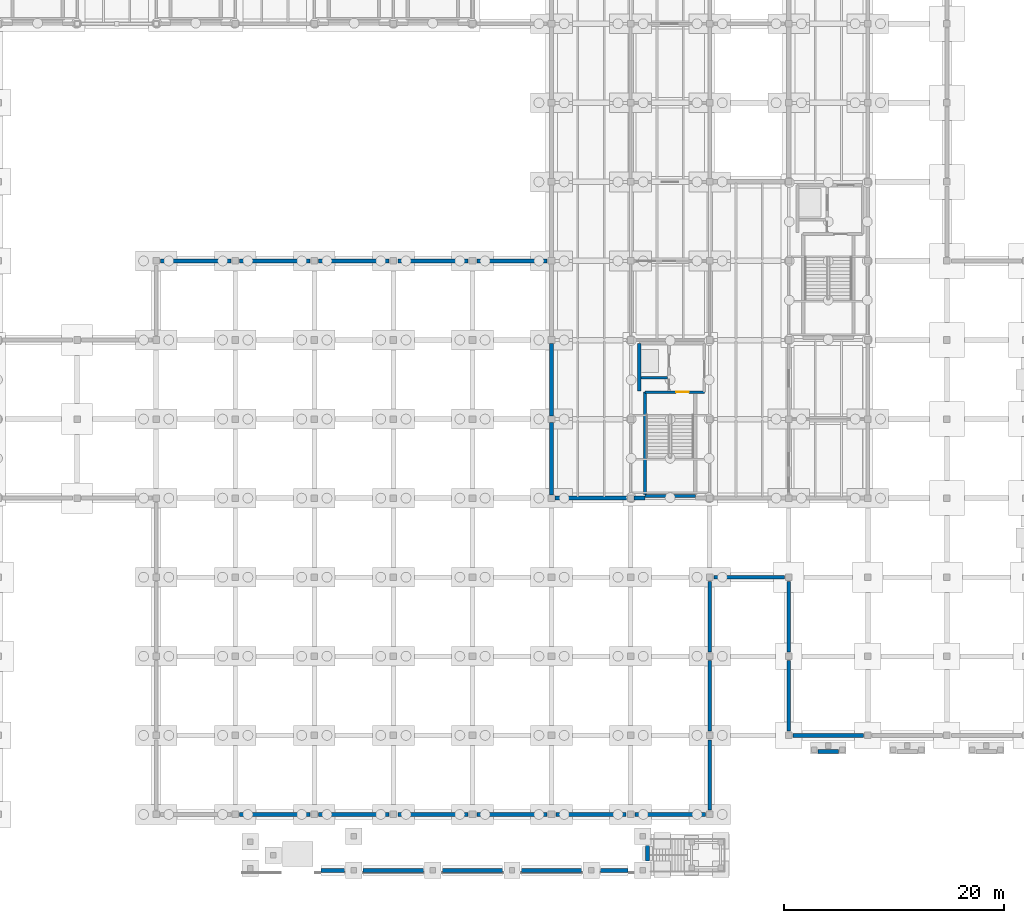
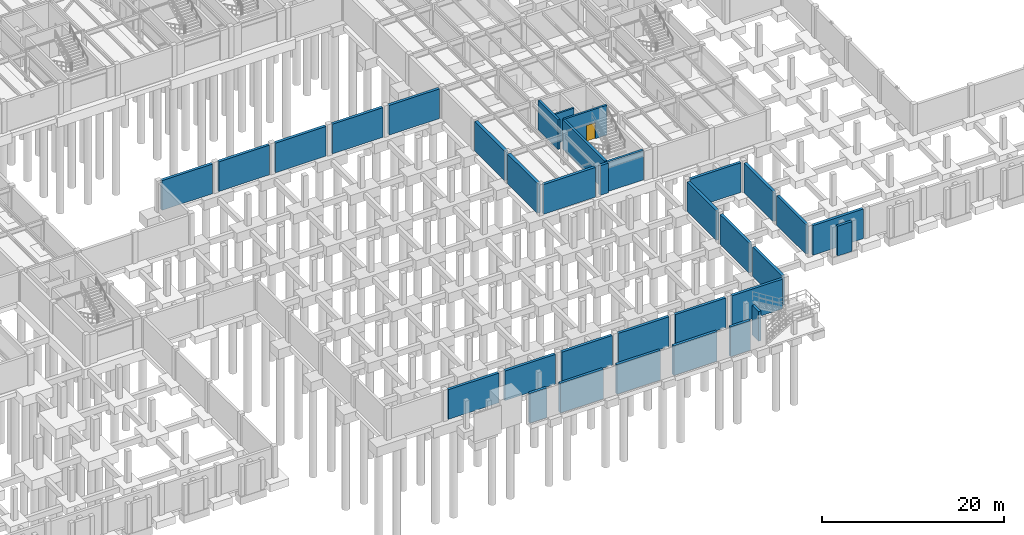
# One storey, part 32 of 46: 34 walls, 1 door, 1 opening.
"""IFC4 building model written with IfcOpenShell, lengths in metres."""

import ifcopenshell
import ifcopenshell.guid

model = None  # the IFC model being written
_history = None  # IfcOwnerHistory: only IFC2X3 demands one
_inside = {}  # id of a spatial element -> (the spatial element, [elements in it])
_under = {}  # id of a project, library or spatial element -> (it, [spatial elements below it])
_declared = {}  # id of a project -> (the project, [libraries it declares])
_typed = {}  # id of a type object -> (the type object, [elements of that type])
_made_of = {}  # id of a material, layer set ... -> (it, [elements and type objects made of it])


def new_model(schema):
    """Start an empty IFC model of exactly this schema.

    Asked for "IFC4X3", IfcOpenShell would pick the latest addendum, in which some entities
    have other attributes; the version numbers below select the first issue.
    IFC2X3 requires an IfcOwnerHistory on every rooted entity: one is made here for all.
    """
    global model, _history
    if schema == "IFC4X3":
        model = ifcopenshell.file(schema_version=(4, 3, 0, 0))
    else:
        model = ifcopenshell.file(schema=schema)
    _inside.clear()
    _under.clear()
    _declared.clear()
    _typed.clear()
    _made_of.clear()
    _history = None
    if model.schema == "IFC2X3":
        org = make("IfcOrganization", Name="unknown")
        user = make(
            "IfcPersonAndOrganization",
            ThePerson=make("IfcPerson", FamilyName="unknown"),
            TheOrganization=org,
        )
        app = make(
            "IfcApplication",
            ApplicationDeveloper=org,
            Version="unknown",
            ApplicationFullName="unknown",
            ApplicationIdentifier="unknown",
        )
        _history = make(
            "IfcOwnerHistory",
            OwningUser=user,
            OwningApplication=app,
            ChangeAction="ADDED",
            CreationDate=0,
        )
    return model


def make(cls, **values):
    """One entity of the class cls with the attributes given. An attribute that is None is left unset."""
    return model.create_entity(
        cls, **{name: value for name, value in values.items() if value is not None}
    )


def rooted(cls, **values):
    """An entity with a GlobalId (a new one), such as an element, a storey or a relation."""
    return make(cls, GlobalId=ifcopenshell.guid.new(), OwnerHistory=_history, **values)


def si_unit(unit_type, name, prefix=None):
    """IfcSIUnit, for example si_unit("LENGTHUNIT", "METRE", prefix="MILLI")."""
    return make("IfcSIUnit", UnitType=unit_type, Prefix=prefix, Name=name)


def assignment(units):
    """IfcUnitAssignment: the units of a project."""
    return None if units is None else make("IfcUnitAssignment", Units=units)


def point(xyz):
    """IfcCartesianPoint."""
    return None if xyz is None else make("IfcCartesianPoint", Coordinates=xyz)


def direction(xyz):
    """IfcDirection."""
    return None if xyz is None else make("IfcDirection", DirectionRatios=xyz)


def frame(location, z_axis=None, x_axis=None):
    """IfcAxis2Placement3D, a coordinate frame: its origin and axes. An axis left out is left unset."""
    return make(
        "IfcAxis2Placement3D",
        Location=point(location),
        Axis=direction(z_axis),
        RefDirection=direction(x_axis),
    )


def frame_2d(location, x_axis=None):
    """IfcAxis2Placement2D, a coordinate frame in the plane: its origin and x axis."""
    return make(
        "IfcAxis2Placement2D", Location=point(location), RefDirection=direction(x_axis)
    )


def origin():
    """The frame at (0, 0, 0) with its axes left unset."""
    return frame((0.0, 0.0, 0.0))


def place(relative_to, where):
    """IfcLocalPlacement: puts the frame where relative to a parent placement (None: the world)."""
    return make(
        "IfcLocalPlacement", PlacementRelTo=relative_to, RelativePlacement=where
    )


def context(
    kind, dimensions, precision=None, world=None, true_north=None, identifier=None
):
    """IfcGeometricRepresentationContext, for example the 3D "Model" context."""
    return make(
        "IfcGeometricRepresentationContext",
        ContextIdentifier=identifier,
        ContextType=kind,
        CoordinateSpaceDimension=dimensions,
        Precision=precision,
        WorldCoordinateSystem=world,
        TrueNorth=true_north,
    )


def subcontext(parent, identifier, kind, view, scale=None):
    """IfcGeometricRepresentationSubContext, for example "Body" below "Model"."""
    return make(
        "IfcGeometricRepresentationSubContext",
        ContextIdentifier=identifier,
        ContextType=kind,
        ParentContext=parent,
        TargetScale=scale,
        TargetView=view,
    )


def project(units=None, contexts=None):
    """IfcProject with its units and contexts."""
    return rooted(
        "IfcProject",
        Name="project",
        RepresentationContexts=contexts,
        UnitsInContext=assignment(units),
    )


def spatial(cls, under=None, at=None, **own):
    """A site, building, storey or space (cls), placed at a placement, below another one or the project."""
    s = rooted(cls, ObjectPlacement=at, **own)
    if under is not None:
        _under.setdefault(under.id(), (under, []))[1].append(s)
    return s


def profile(cls, at=None, kind="AREA", **sizes):
    """A parametric profile (cls). Its sizes go by their IFC names, for example OverallWidth=200.0."""
    return make(cls, ProfileType=kind, Position=at, **sizes)


def rectangle(**sizes):
    """IfcRectangleProfileDef."""
    return profile("IfcRectangleProfileDef", **sizes)


def extrude(swept, where, along, depth):
    """IfcExtrudedAreaSolid: the profile swept, set in the frame where, extruded along a direction by depth."""
    return make(
        "IfcExtrudedAreaSolid",
        SweptArea=swept,
        Position=where,
        ExtrudedDirection=direction(along),
        Depth=depth,
    )


def shape(context_of_items, identifier, shape_type, items):
    """IfcShapeRepresentation: the items that make up one representation, for example the "Body"."""
    return make(
        "IfcShapeRepresentation",
        ContextOfItems=context_of_items,
        RepresentationIdentifier=identifier,
        RepresentationType=shape_type,
        Items=items,
    )


def material(Name=None, Category=None):
    """IfcMaterial."""
    return make("IfcMaterial", Name=Name, Category=Category)


def layer(
    of_material, thickness, ventilated=None, Name=None, Category=None, Priority=None
):
    """IfcMaterialLayer: one layer of a wall or slab, of a material (None: an air gap)."""
    return make(
        "IfcMaterialLayer",
        Material=of_material,
        LayerThickness=thickness,
        IsVentilated=ventilated,
        Name=Name,
        Category=Category,
        Priority=Priority,
    )


def layer_set(layers, Name=None):
    """IfcMaterialLayerSet."""
    return make("IfcMaterialLayerSet", MaterialLayers=layers, LayerSetName=Name)


def made_of(thing, what):
    """Note that an element or type object is made of a material, layer set ...; save() writes the relation."""
    if what is not None:
        _made_of.setdefault(what.id(), (what, []))[1].append(thing)
    return thing


def type_object(cls, material=None, **own):
    """A type object (cls), such as IfcWallType, which elements share."""
    return made_of(rooted(cls, **own), material)


def element(
    cls,
    number,
    at=None,
    inside=None,
    cuts=None,
    type_object=None,
    material=None,
    context=None,
    identifier="Body",
    shape_type=None,
    held_by="IfcProductDefinitionShape",
    body=None,
    shapes=None,
    **own,
):
    """One element of the class cls, such as IfcWall. Its Tag is "e" and its number.

    at: its placement. inside: the storey or other place that contains it. cuts: it is an
    opening in that element (IfcRelVoidsElement). A single representation is given by context,
    identifier, shape_type and body (its items); several are given by shapes. held_by: the class
    of the entity that holds the representations. save() writes the other relations.
    """
    e = rooted(cls, Tag="e%d" % number, ObjectPlacement=at, **own)
    if body is not None:
        shapes = [shape(context, identifier, shape_type, body)]
    if shapes is not None:
        e.Representation = make(held_by, Representations=shapes)
    if inside is not None:
        _inside.setdefault(inside.id(), (inside, []))[1].append(e)
    if cuts is not None:
        rooted(
            "IfcRelVoidsElement", RelatingBuildingElement=cuts, RelatedOpeningElement=e
        )
    if type_object is not None:
        _typed.setdefault(type_object.id(), (type_object, []))[1].append(e)
    return made_of(e, material)


def fill(opening, filler):
    """IfcRelFillsElement: the door or window that sits in an opening."""
    return rooted(
        "IfcRelFillsElement",
        RelatingOpeningElement=opening,
        RelatedBuildingElement=filler,
    )


def aggregate(whole, parts):
    """IfcRelAggregates: a whole, such as a stair, and the parts it consists of."""
    return rooted("IfcRelAggregates", RelatingObject=whole, RelatedObjects=parts)


def save(model, path):
    """Write the relations noted so far, then the file.

    IfcRelAggregates (storeys below a building ...), IfcRelContainedInSpatialStructure (elements
    in a storey), IfcRelDefinesByType, IfcRelAssociatesMaterial and IfcRelDeclares: one each for
    every whole, place, type object, material and project.
    """
    for whole, parts in _under.values():
        aggregate(whole, parts)
    for where, things in _inside.values():
        rooted(
            "IfcRelContainedInSpatialStructure",
            RelatedElements=things,
            RelatingStructure=where,
        )
    for kind, things in _typed.values():
        rooted("IfcRelDefinesByType", RelatedObjects=things, RelatingType=kind)
    for what, things in _made_of.values():
        rooted("IfcRelAssociatesMaterial", RelatedObjects=things, RelatingMaterial=what)
    for by, libraries in _declared.values():
        rooted("IfcRelDeclares", RelatingContext=by, RelatedDefinitions=libraries)
    model.write(path)


model = new_model("IFC4")

# Units and contexts
model_context = context("Model", 3, precision=1e-05, world=origin(), true_north=direction((0.0, 1.0)))
body_context = subcontext(model_context, "Body", "Model", "MODEL_VIEW")
ifc_project = project(units=[si_unit("LENGTHUNIT", "METRE"), si_unit("AREAUNIT", "SQUARE_METRE"), si_unit("VOLUMEUNIT", "CUBIC_METRE"), si_unit("PLANEANGLEUNIT", "RADIAN"), si_unit("MASSUNIT", "GRAM", prefix="KILO")], contexts=[model_context])

# Site, building, storey
site_placement = place(None, origin())
site = spatial("IfcSite", under=ifc_project, at=site_placement, CompositionType="ELEMENT")
building_placement = place(site_placement, origin())
building = spatial("IfcBuilding", under=site, at=building_placement, Name="Sillqori Civic Hall", CompositionType="ELEMENT")
storey_placement = place(building_placement, frame((0.0, 0.0, -4.199951171875)))
storey = spatial("IfcBuildingStorey", under=building, at=storey_placement, Name="B01", CompositionType="ELEMENT", Elevation=-4.199951171875)

# Wall
ifc_material_1 = material(Name="Concrete C35/45 (H35)", Category="concrete")
ifc_layer_1 = layer(ifc_material_1, 0.219970703125)
ifc_layer_set_1 = layer_set([ifc_layer_1], Name="Concrete C35/45 (H35)")
wall_type_1 = type_object("IfcWallType", Name="CW-SHR-220", PredefinedType="SHEAR", material=ifc_layer_set_1)
wall_1_placement = place(storey_placement, frame((108.949951171875, 46.949951171875, 0.0), z_axis=(0.0, 0.0, 1.0), x_axis=(1.0, 0.0, 0.0)))
element("IfcWall", 1, at=wall_1_placement, inside=storey, type_object=wall_type_1, Name="B01 C3 Lift-riser divider wall", PredefinedType="SHEAR", context=body_context, shape_type="SweptSolid", body=[
    extrude(rectangle(XDim=2.400146484375, YDim=0.219970703125, at=frame_2d((1.2001953125, 0.0))), origin(), (0.0, 0.0, 1.0), 3.97998046875),
])

# Wall, opening, door
ifc_layer_2 = layer(ifc_material_1, 0.260009765625)
ifc_layer_set_2 = layer_set([ifc_layer_2], Name="Concrete C35/45 (H35)")
wall_type_2 = type_object("IfcWallType", Name="CW-SHR-260", PredefinedType="SHEAR", material=ifc_layer_set_2)
wall_2_placement = place(storey_placement, frame((109.31005859375, 45.64990234375, 0.0), z_axis=(0.0, 0.0, 1.0), x_axis=(1.0, 0.0, 0.0)))
wall_2 = element("IfcWall", 2, at=wall_2_placement, inside=storey, type_object=wall_type_2, Name="B01 C3 Stair-lobby fire wall", PredefinedType="SHEAR", context=body_context, shape_type="SweptSolid", body=[
    extrude(rectangle(XDim=5.409912109375, YDim=0.260009765625, at=frame_2d((2.705078125, 0.0))), origin(), (0.0, 0.0, 1.0), 3.97998046875),
])
opening_placement = place(wall_2_placement, frame((2.840087890625, 0.0, 0.0)))
opening = element("IfcOpeningElement", 3, at=opening_placement, cuts=wall_2, Name="Opening FD-01", PredefinedType="OPENING", context=body_context, shape_type="SweptSolid", body=[
    extrude(rectangle(XDim=1.14990234375, YDim=2.14990234375, at=frame_2d((0.574951171875, 1.074951171875))), frame((0.0, 0.139892578125, 0.0), z_axis=(0.0, -1.0, 0.0), x_axis=(1.0, 0.0, 0.0)), (0.0, 0.0, 1.0), 0.280029296875),
])
ifc_material_2 = material(Name="Galvanized Steel Fire Door FD90S", Category="steel")
door_type = type_object("IfcDoorType", Name="FDR-STR-115X215", OperationType="NOTDEFINED", PredefinedType="DOOR", material=ifc_material_2)
door_placement = place(opening_placement, origin())
door = element("IfcDoor", 4, at=door_placement, inside=storey, type_object=door_type, Name="B01 stair ST-03 fire door", OperationType="SINGLE_SWING_RIGHT", OverallHeight=2.14990234375, OverallWidth=1.14990234375, PredefinedType="DOOR", context=body_context, shape_type="SweptSolid", body=[
    extrude(rectangle(XDim=1.14990234375, YDim=2.14990234375, at=frame_2d((0.574951171875, 1.074951171875))), frame((0.0, 0.02490234375, 0.0), z_axis=(0.0, -1.0, 0.0), x_axis=(1.0, 0.0, 0.0)), (0.0, 0.0, 1.0), 0.050048828125),
])
fill(opening, door)

# Walls
ifc_layer_3 = layer(ifc_material_1, 0.300048828125)
ifc_layer_set_3 = layer_set([ifc_layer_3], Name="Concrete C35/45 (H35)")
wall_type_3 = type_object("IfcWallType", Name="CW-SHR-300", PredefinedType="SHEAR", material=ifc_layer_set_3)
wall_3_placement = place(storey_placement, frame((109.31005859375, 36.199951171875, 0.0), z_axis=(0.0, 0.0, 1.0), x_axis=(1.0, 0.0, 0.0)))
element("IfcWall", 5, at=wall_3_placement, inside=storey, type_object=wall_type_3, Name="B01 C3 Stair south shear wall", PredefinedType="SHEAR", context=body_context, shape_type="SweptSolid", body=[
    extrude(rectangle(XDim=4.579833984375, YDim=0.300048828125, at=frame_2d((2.2900390625, 0.0))), origin(), (0.0, 0.0, 1.0), 3.97998046875),
])
wall_4_placement = place(storey_placement, frame((109.31005859375, 36.35009765625, 0.0), z_axis=(0.0, 0.0, 1.0), x_axis=(0.0, 1.0, 0.0)))
element("IfcWall", 6, at=wall_4_placement, inside=storey, type_object=wall_type_3, Name="B01 C3 Stair west shear wall", PredefinedType="SHEAR", context=body_context, shape_type="SweptSolid", body=[
    extrude(rectangle(XDim=9.2998046875, YDim=0.300048828125, at=frame_2d((4.64990234375, 0.0))), origin(), (0.0, 0.0, 1.0), 3.97998046875),
])
wall_5_placement = place(storey_placement, frame((108.800048828125, 45.780029296875, 0.0), z_axis=(0.0, 0.0, 1.0), x_axis=(0.0, 1.0, 0.0)))
element("IfcWall", 7, at=wall_5_placement, inside=storey, type_object=wall_type_3, Name="B01 C3 Lift shaft west shear wall", PredefinedType="SHEAR", context=body_context, shape_type="SweptSolid", body=[
    extrude(rectangle(XDim=4.320068359375, YDim=0.300048828125, at=frame_2d((2.16015625, 0.0))), origin(), (0.0, 0.0, 1.0), 3.97998046875),
])
ifc_layer_4 = layer(ifc_material_1, 0.35009765625)
ifc_layer_set_4 = layer_set([ifc_layer_4], Name="Concrete C35/45 (H35)")
wall_type_4 = type_object("IfcWallType", Name="RW-H35-350", PredefinedType="USERDEFINED", material=ifc_layer_set_4)
wall_6_placement = place(storey_placement, frame((101.10009765625, 36.0, 0.0), z_axis=(0.0, 0.0, 1.0), x_axis=(1.0, 0.0, 0.0)))
element("IfcWall", 8, at=wall_6_placement, inside=storey, type_object=wall_type_4, Name="Basement retaining wall S 14-5", ObjectType="RETAININGWALL", PredefinedType="USERDEFINED", context=body_context, shape_type="SweptSolid", body=[
    extrude(rectangle(XDim=6.599853515625, YDim=0.35009765625, at=frame_2d((3.2998046875, 0.0))), origin(), (0.0, 0.0, 1.0), 3.97998046875),
])
wall_7_placement = place(storey_placement, frame((108.300048828125, 36.0, 0.0), z_axis=(0.0, 0.0, 1.0), x_axis=(1.0, 0.0, 0.0)))
element("IfcWall", 9, at=wall_7_placement, inside=storey, type_object=wall_type_4, Name="Basement retaining wall S 15-5 part 1", ObjectType="RETAININGWALL", PredefinedType="USERDEFINED", context=body_context, shape_type="SweptSolid", body=[
    extrude(rectangle(XDim=1.010009765625, YDim=0.35009765625, at=frame_2d((0.5048828125, 0.0))), origin(), (0.0, 0.0, 1.0), 3.97998046875),
])
for number, where, z_axis, x_axis, name in (
    (10, (65.199951171875, 57.60009765625, 0.0), (0.0, 0.0, 1.0), (1.0, 0.0, 0.0), "Podium plinth retaining wall N 9-7"),
    (11, (72.39990234375, 7.199951171875, 0.0), (0.0, 0.0, 1.0), (1.0, 0.0, 0.0), "Podium plinth retaining wall S 10-1"),
    (12, (72.39990234375, 57.60009765625, 0.0), (0.0, 0.0, 1.0), (1.0, 0.0, 0.0), "Podium plinth retaining wall N 10-7"),
):
    element("IfcWall", number, at=place(storey_placement, frame(where, z_axis=z_axis, x_axis=x_axis)), inside=storey, type_object=wall_type_4, Name=name, ObjectType="RETAININGWALL", PredefinedType="USERDEFINED", context=body_context, shape_type="SweptSolid", body=[
        extrude(rectangle(XDim=6.400146484375, YDim=0.35009765625, at=frame_2d((3.2001953125, 0.0))), origin(), (0.0, 0.0, 1.0), 3.97998046875),
    ])
for number, where, z_axis, x_axis, name in (
    (13, (79.60009765625, 7.199951171875, 0.0), (0.0, 0.0, 1.0), (1.0, 0.0, 0.0), "Podium plinth retaining wall S 11-1"),
    (14, (79.60009765625, 57.60009765625, 0.0), (0.0, 0.0, 1.0), (1.0, 0.0, 0.0), "Podium plinth retaining wall N 11-7"),
    (15, (86.800048828125, 7.199951171875, 0.0), (0.0, 0.0, 1.0), (1.0, 0.0, 0.0), "Podium plinth retaining wall S 12-1"),
    (16, (86.800048828125, 57.60009765625, 0.0), (0.0, 0.0, 1.0), (1.0, 0.0, 0.0), "Podium plinth retaining wall N 12-7"),
    (17, (94.0, 7.199951171875, 0.0), (0.0, 0.0, 1.0), (1.0, 0.0, 0.0), "Podium plinth retaining wall S 13-1"),
    (18, (94.0, 57.60009765625, 0.0), (0.0, 0.0, 1.0), (1.0, 0.0, 0.0), "Podium plinth retaining wall N 13-7"),
):
    element("IfcWall", number, at=place(storey_placement, frame(where, z_axis=z_axis, x_axis=x_axis)), inside=storey, type_object=wall_type_4, Name=name, ObjectType="RETAININGWALL", PredefinedType="USERDEFINED", context=body_context, shape_type="SweptSolid", body=[
        extrude(rectangle(XDim=6.39990234375, YDim=0.35009765625, at=frame_2d((3.199951171875, 0.0))), origin(), (0.0, 0.0, 1.0), 3.97998046875),
    ])
for number, where, z_axis, x_axis, name in (
    (19, (101.199951171875, 7.199951171875, 0.0), (0.0, 0.0, 1.0), (1.0, 0.0, 0.0), "Podium plinth retaining wall S 14-1"),
    (20, (108.39990234375, 7.199951171875, 0.0), (0.0, 0.0, 1.0), (1.0, 0.0, 0.0), "Podium plinth retaining wall S 15-1"),
):
    element("IfcWall", number, at=place(storey_placement, frame(where, z_axis=z_axis, x_axis=x_axis)), inside=storey, type_object=wall_type_4, Name=name, ObjectType="RETAININGWALL", PredefinedType="USERDEFINED", context=body_context, shape_type="SweptSolid", body=[
        extrude(rectangle(XDim=6.400146484375, YDim=0.35009765625, at=frame_2d((3.2001953125, 0.0))), origin(), (0.0, 0.0, 1.0), 3.97998046875),
    ])
for number, where, z_axis, x_axis, name in (
    (21, (115.199951171875, 7.60009765625, 0.0), (0.0, 0.0, 1.0), (0.0, 1.0, 0.0), "Podium plinth retaining wall E 15-1"),
    (22, (115.199951171875, 14.800048828125, 0.0), (0.0, 0.0, 1.0), (0.0, 1.0, 0.0), "Podium plinth retaining wall E 15-2"),
    (23, (115.199951171875, 22.0, 0.0), (0.0, 0.0, 1.0), (0.0, 1.0, 0.0), "Podium plinth retaining wall E 15-3"),
    (24, (115.60009765625, 28.800048828125, 0.0), (0.0, 0.0, 1.0), (1.0, 0.0, 0.0), "Podium plinth retaining wall S 16-4"),
    (25, (122.800048828125, 14.39990234375, 0.0), (0.0, 0.0, 1.0), (1.0, 0.0, 0.0), "Podium plinth retaining wall S 17-2"),
    (26, (122.39990234375, 14.800048828125, 0.0), (0.0, 0.0, 1.0), (0.0, 1.0, 0.0), "Podium plinth retaining wall W 17-2"),
    (27, (122.39990234375, 22.0, 0.0), (0.0, 0.0, 1.0), (0.0, 1.0, 0.0), "Podium plinth retaining wall W 17-3"),
):
    element("IfcWall", number, at=place(storey_placement, frame(where, z_axis=z_axis, x_axis=x_axis)), inside=storey, type_object=wall_type_4, Name=name, ObjectType="RETAININGWALL", PredefinedType="USERDEFINED", context=body_context, shape_type="SweptSolid", body=[
        extrude(rectangle(XDim=6.39990234375, YDim=0.35009765625, at=frame_2d((3.199951171875, 0.0))), origin(), (0.0, 0.0, 1.0), 3.97998046875),
    ])
wall_8_placement = place(storey_placement, frame((79.800048828125, 2.10009765625, 0.0), z_axis=(0.0, 0.0, 1.0), x_axis=(1.0, 0.0, 0.0)))
element("IfcWall", 28, at=wall_8_placement, inside=storey, type_object=wall_type_4, Name="Forecourt accessible arrival deck plinth retaining wall S1", ObjectType="RETAININGWALL", PredefinedType="USERDEFINED", context=body_context, shape_type="SweptSolid", body=[
    extrude(rectangle(XDim=2.14990234375, YDim=0.35009765625, at=frame_2d((1.074951171875, 0.0))), origin(), (0.0, 0.0, 1.0), 3.97998046875),
])
for number, where, z_axis, x_axis, name in (
    (29, (83.64990234375, 2.10009765625, 0.0), (0.0, 0.0, 1.0), (1.0, 0.0, 0.0), "Forecourt accessible arrival deck plinth retaining wall S2"),
    (30, (90.85009765625, 2.10009765625, 0.0), (0.0, 0.0, 1.0), (1.0, 0.0, 0.0), "Forecourt accessible arrival deck plinth retaining wall S3"),
    (31, (98.050048828125, 2.10009765625, 0.0), (0.0, 0.0, 1.0), (1.0, 0.0, 0.0), "Forecourt accessible arrival deck plinth retaining wall S4"),
):
    element("IfcWall", number, at=place(storey_placement, frame(where, z_axis=z_axis, x_axis=x_axis)), inside=storey, type_object=wall_type_4, Name=name, ObjectType="RETAININGWALL", PredefinedType="USERDEFINED", context=body_context, shape_type="SweptSolid", body=[
        extrude(rectangle(XDim=5.5, YDim=0.35009765625, at=frame_2d((2.75, 0.0))), origin(), (0.0, 0.0, 1.0), 3.97998046875),
    ])
wall_9_placement = place(storey_placement, frame((105.25, 2.10009765625, 0.0), z_axis=(0.0, 0.0, 1.0), x_axis=(1.0, 0.0, 0.0)))
element("IfcWall", 32, at=wall_9_placement, inside=storey, type_object=wall_type_4, Name="Forecourt accessible arrival deck plinth retaining wall S5", ObjectType="RETAININGWALL", PredefinedType="USERDEFINED", context=body_context, shape_type="SweptSolid", body=[
    extrude(rectangle(XDim=2.5, YDim=0.35009765625, at=frame_2d((1.25, 0.0))), origin(), (0.0, 0.0, 1.0), 3.97998046875),
])
wall_10_placement = place(storey_placement, frame((109.550048828125, 2.949951171875, 0.0), z_axis=(0.0, 0.0, 1.0), x_axis=(0.0, 1.0, 0.0)))
element("IfcWall", 33, at=wall_10_placement, inside=storey, type_object=wall_type_4, Name="Forecourt accessible arrival deck plinth retaining wall E", ObjectType="RETAININGWALL", PredefinedType="USERDEFINED", context=body_context, shape_type="SweptSolid", body=[
    extrude(rectangle(XDim=1.400146484375, YDim=0.35009765625, at=frame_2d((0.7001953125, 0.0))), origin(), (0.0, 0.0, 1.0), 3.97998046875),
])
wall_11_placement = place(storey_placement, frame((125.080078125, 12.919921875, 0.0), z_axis=(0.0, 0.0, 1.0), x_axis=(1.0, 0.0, 0.0)))
element("IfcWall", 34, at=wall_11_placement, inside=storey, type_object=wall_type_4, Name="Members Library West Entrance plinth retaining wall", ObjectType="RETAININGWALL", PredefinedType="USERDEFINED", context=body_context, shape_type="SweptSolid", body=[
    extrude(rectangle(XDim=1.83984375, YDim=0.35009765625, at=frame_2d((0.919921875, 0.0))), origin(), (0.0, 0.0, 1.0), 3.97998046875),
])
ifc_layer_5 = layer(ifc_material_1, 0.39990234375)
ifc_layer_set_5 = layer_set([ifc_layer_5], Name="Concrete C35/45 (H35)")
wall_type_5 = type_object("IfcWallType", Name="RW-H35-400", PredefinedType="USERDEFINED", material=ifc_layer_set_5)
wall_12_placement = place(storey_placement, frame((100.800048828125, 36.300048828125, 0.0), z_axis=(0.0, 0.0, 1.0), x_axis=(0.0, 1.0, 0.0)))
element("IfcWall", 35, at=wall_12_placement, inside=storey, type_object=wall_type_5, Name="Basement retaining wall W 14-5", ObjectType="RETAININGWALL", PredefinedType="USERDEFINED", context=body_context, shape_type="SweptSolid", body=[
    extrude(rectangle(XDim=6.599853515625, YDim=0.39990234375, at=frame_2d((3.2998046875, 0.0))), origin(), (0.0, 0.0, 1.0), 3.97998046875),
])
wall_13_placement = place(storey_placement, frame((100.800048828125, 43.5, 0.0), z_axis=(0.0, 0.0, 1.0), x_axis=(0.0, 1.0, 0.0)))
element("IfcWall", 36, at=wall_13_placement, inside=storey, type_object=wall_type_5, Name="Basement retaining wall W 14-6", ObjectType="RETAININGWALL", PredefinedType="USERDEFINED", context=body_context, shape_type="SweptSolid", body=[
    extrude(rectangle(XDim=6.60009765625, YDim=0.39990234375, at=frame_2d((3.300048828125, 0.0))), origin(), (0.0, 0.0, 1.0), 3.97998046875),
])

save(model, "model.ifc")
